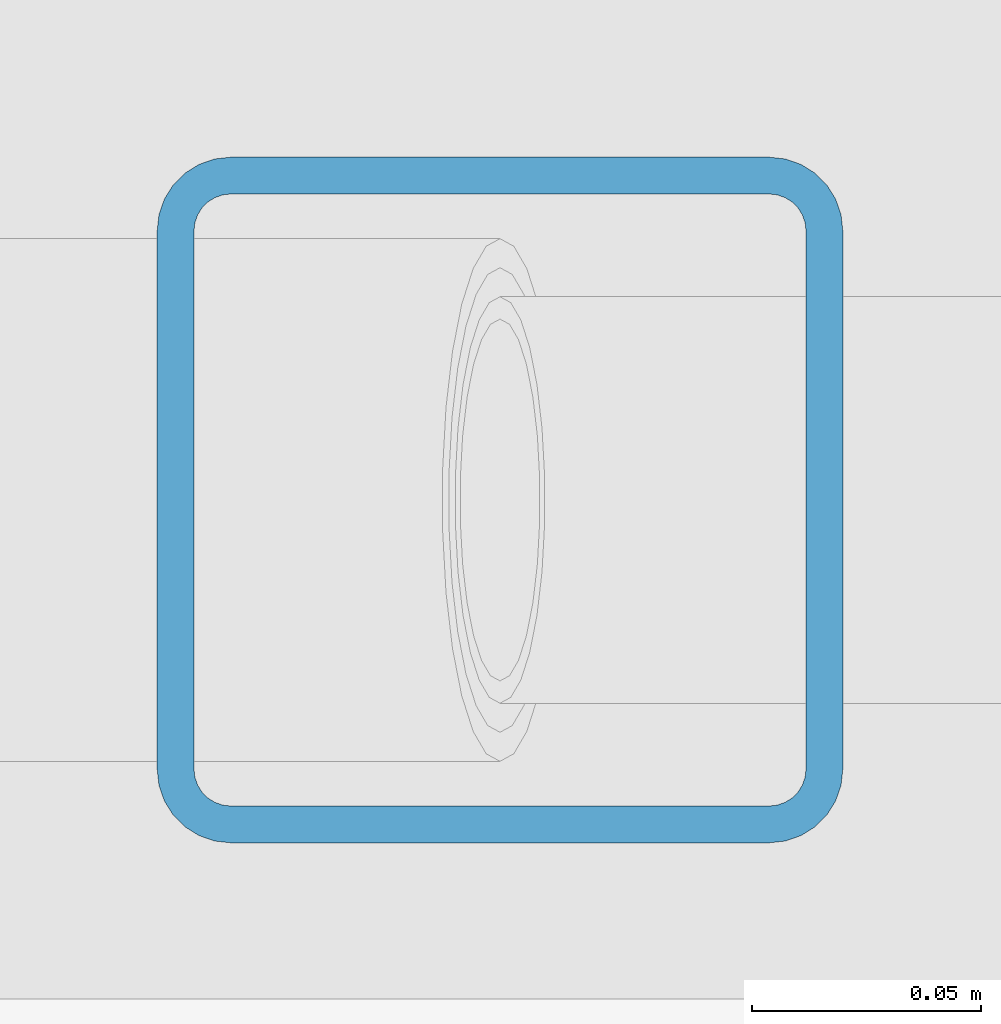
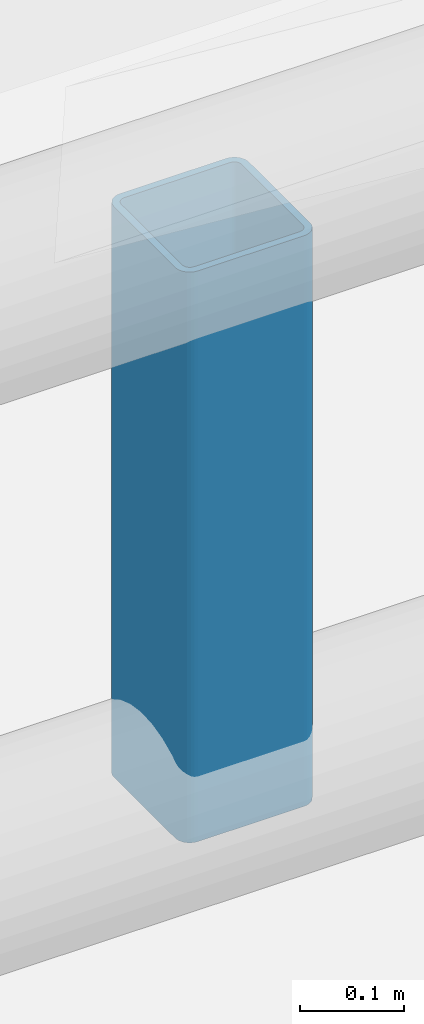
# One storey, part 64 of 118: 1 member.
"""IFC4 building model written with IfcOpenShell, lengths in metres."""

import ifcopenshell
import ifcopenshell.guid

model = None  # the IFC model being written
_history = None  # IfcOwnerHistory: only IFC2X3 demands one
_inside = {}  # id of a spatial element -> (the spatial element, [elements in it])
_under = {}  # id of a project, library or spatial element -> (it, [spatial elements below it])
_declared = {}  # id of a project -> (the project, [libraries it declares])
_typed = {}  # id of a type object -> (the type object, [elements of that type])
_made_of = {}  # id of a material, layer set ... -> (it, [elements and type objects made of it])


def new_model(schema):
    """Start an empty IFC model of exactly this schema.

    Asked for "IFC4X3", IfcOpenShell would pick the latest addendum, in which some entities
    have other attributes; the version numbers below select the first issue.
    IFC2X3 requires an IfcOwnerHistory on every rooted entity: one is made here for all.
    """
    global model, _history
    if schema == "IFC4X3":
        model = ifcopenshell.file(schema_version=(4, 3, 0, 0))
    else:
        model = ifcopenshell.file(schema=schema)
    _inside.clear()
    _under.clear()
    _declared.clear()
    _typed.clear()
    _made_of.clear()
    _history = None
    if model.schema == "IFC2X3":
        org = make("IfcOrganization", Name="unknown")
        user = make(
            "IfcPersonAndOrganization",
            ThePerson=make("IfcPerson", FamilyName="unknown"),
            TheOrganization=org,
        )
        app = make(
            "IfcApplication",
            ApplicationDeveloper=org,
            Version="unknown",
            ApplicationFullName="unknown",
            ApplicationIdentifier="unknown",
        )
        _history = make(
            "IfcOwnerHistory",
            OwningUser=user,
            OwningApplication=app,
            ChangeAction="ADDED",
            CreationDate=0,
        )
    return model


def make(cls, **values):
    """One entity of the class cls with the attributes given. An attribute that is None is left unset."""
    return model.create_entity(
        cls, **{name: value for name, value in values.items() if value is not None}
    )


def rooted(cls, **values):
    """An entity with a GlobalId (a new one), such as an element, a storey or a relation."""
    return make(cls, GlobalId=ifcopenshell.guid.new(), OwnerHistory=_history, **values)


def si_unit(unit_type, name, prefix=None):
    """IfcSIUnit, for example si_unit("LENGTHUNIT", "METRE", prefix="MILLI")."""
    return make("IfcSIUnit", UnitType=unit_type, Prefix=prefix, Name=name)


def assignment(units):
    """IfcUnitAssignment: the units of a project."""
    return None if units is None else make("IfcUnitAssignment", Units=units)


def point(xyz):
    """IfcCartesianPoint."""
    return None if xyz is None else make("IfcCartesianPoint", Coordinates=xyz)


def direction(xyz):
    """IfcDirection."""
    return None if xyz is None else make("IfcDirection", DirectionRatios=xyz)


def frame(location, z_axis=None, x_axis=None):
    """IfcAxis2Placement3D, a coordinate frame: its origin and axes. An axis left out is left unset."""
    return make(
        "IfcAxis2Placement3D",
        Location=point(location),
        Axis=direction(z_axis),
        RefDirection=direction(x_axis),
    )


def frame_2d(location, x_axis=None):
    """IfcAxis2Placement2D, a coordinate frame in the plane: its origin and x axis."""
    return make(
        "IfcAxis2Placement2D", Location=point(location), RefDirection=direction(x_axis)
    )


def origin():
    """The frame at (0, 0, 0) with its axes left unset."""
    return frame((0.0, 0.0, 0.0))


def origin_2d():
    """The frame at (0, 0) in the plane with its x axis left unset."""
    return frame_2d((0.0, 0.0))


def place(relative_to, where):
    """IfcLocalPlacement: puts the frame where relative to a parent placement (None: the world)."""
    return make(
        "IfcLocalPlacement", PlacementRelTo=relative_to, RelativePlacement=where
    )


def context(
    kind, dimensions, precision=None, world=None, true_north=None, identifier=None
):
    """IfcGeometricRepresentationContext, for example the 3D "Model" context."""
    return make(
        "IfcGeometricRepresentationContext",
        ContextIdentifier=identifier,
        ContextType=kind,
        CoordinateSpaceDimension=dimensions,
        Precision=precision,
        WorldCoordinateSystem=world,
        TrueNorth=true_north,
    )


def subcontext(parent, identifier, kind, view, scale=None):
    """IfcGeometricRepresentationSubContext, for example "Body" below "Model"."""
    return make(
        "IfcGeometricRepresentationSubContext",
        ContextIdentifier=identifier,
        ContextType=kind,
        ParentContext=parent,
        TargetScale=scale,
        TargetView=view,
    )


def project(units=None, contexts=None):
    """IfcProject with its units and contexts."""
    return rooted(
        "IfcProject",
        Name="project",
        RepresentationContexts=contexts,
        UnitsInContext=assignment(units),
    )


def spatial(cls, under=None, at=None, **own):
    """A site, building, storey or space (cls), placed at a placement, below another one or the project."""
    s = rooted(cls, ObjectPlacement=at, **own)
    if under is not None:
        _under.setdefault(under.id(), (under, []))[1].append(s)
    return s


def profile(cls, at=None, kind="AREA", **sizes):
    """A parametric profile (cls). Its sizes go by their IFC names, for example OverallWidth=200.0."""
    return make(cls, ProfileType=kind, Position=at, **sizes)


def hollow_rectangle(**sizes):
    """IfcRectangleHollowProfileDef."""
    return profile("IfcRectangleHollowProfileDef", **sizes)


def extrude(swept, where, along, depth):
    """IfcExtrudedAreaSolid: the profile swept, set in the frame where, extruded along a direction by depth."""
    return make(
        "IfcExtrudedAreaSolid",
        SweptArea=swept,
        Position=where,
        ExtrudedDirection=direction(along),
        Depth=depth,
    )


def shape(context_of_items, identifier, shape_type, items):
    """IfcShapeRepresentation: the items that make up one representation, for example the "Body"."""
    return make(
        "IfcShapeRepresentation",
        ContextOfItems=context_of_items,
        RepresentationIdentifier=identifier,
        RepresentationType=shape_type,
        Items=items,
    )


def material(Name=None, Category=None):
    """IfcMaterial."""
    return make("IfcMaterial", Name=Name, Category=Category)


def material_profile(
    of_material, cross_section, Name=None, Category=None, Priority=None
):
    """IfcMaterialProfile: a cross section and its material."""
    return make(
        "IfcMaterialProfile",
        Name=Name,
        Material=of_material,
        Profile=cross_section,
        Priority=Priority,
        Category=Category,
    )


def profile_set(profiles, Name=None, composite=None):
    """IfcMaterialProfileSet."""
    return make(
        "IfcMaterialProfileSet",
        Name=Name,
        MaterialProfiles=profiles,
        CompositeProfile=composite,
    )


def made_of(thing, what):
    """Note that an element or type object is made of a material, layer set ...; save() writes the relation."""
    if what is not None:
        _made_of.setdefault(what.id(), (what, []))[1].append(thing)
    return thing


def type_object(cls, material=None, **own):
    """A type object (cls), such as IfcWallType, which elements share."""
    return made_of(rooted(cls, **own), material)


def element(
    cls,
    number,
    at=None,
    inside=None,
    cuts=None,
    type_object=None,
    material=None,
    context=None,
    identifier="Body",
    shape_type=None,
    held_by="IfcProductDefinitionShape",
    body=None,
    shapes=None,
    **own,
):
    """One element of the class cls, such as IfcWall. Its Tag is "e" and its number.

    at: its placement. inside: the storey or other place that contains it. cuts: it is an
    opening in that element (IfcRelVoidsElement). A single representation is given by context,
    identifier, shape_type and body (its items); several are given by shapes. held_by: the class
    of the entity that holds the representations. save() writes the other relations.
    """
    e = rooted(cls, Tag="e%d" % number, ObjectPlacement=at, **own)
    if body is not None:
        shapes = [shape(context, identifier, shape_type, body)]
    if shapes is not None:
        e.Representation = make(held_by, Representations=shapes)
    if inside is not None:
        _inside.setdefault(inside.id(), (inside, []))[1].append(e)
    if cuts is not None:
        rooted(
            "IfcRelVoidsElement", RelatingBuildingElement=cuts, RelatedOpeningElement=e
        )
    if type_object is not None:
        _typed.setdefault(type_object.id(), (type_object, []))[1].append(e)
    return made_of(e, material)


def aggregate(whole, parts):
    """IfcRelAggregates: a whole, such as a stair, and the parts it consists of."""
    return rooted("IfcRelAggregates", RelatingObject=whole, RelatedObjects=parts)


def save(model, path):
    """Write the relations noted so far, then the file.

    IfcRelAggregates (storeys below a building ...), IfcRelContainedInSpatialStructure (elements
    in a storey), IfcRelDefinesByType, IfcRelAssociatesMaterial and IfcRelDeclares: one each for
    every whole, place, type object, material and project.
    """
    for whole, parts in _under.values():
        aggregate(whole, parts)
    for where, things in _inside.values():
        rooted(
            "IfcRelContainedInSpatialStructure",
            RelatedElements=things,
            RelatingStructure=where,
        )
    for kind, things in _typed.values():
        rooted("IfcRelDefinesByType", RelatedObjects=things, RelatingType=kind)
    for what, things in _made_of.values():
        rooted("IfcRelAssociatesMaterial", RelatedObjects=things, RelatingMaterial=what)
    for by, libraries in _declared.values():
        rooted("IfcRelDeclares", RelatingContext=by, RelatedDefinitions=libraries)
    model.write(path)


model = new_model("IFC4")

# Units and contexts
model_context = context("Model", 3, precision=1e-05, world=origin(), true_north=direction((0.0, 1.0)))
body_context = subcontext(model_context, "Body", "Model", "MODEL_VIEW")
ifc_project = project(units=[si_unit("LENGTHUNIT", "METRE"), si_unit("AREAUNIT", "SQUARE_METRE"), si_unit("VOLUMEUNIT", "CUBIC_METRE"), si_unit("PLANEANGLEUNIT", "RADIAN"), si_unit("MASSUNIT", "GRAM", prefix="KILO")], contexts=[model_context])

# Site, building, storey
site_placement = place(None, origin())
site = spatial("IfcSite", under=ifc_project, at=site_placement, CompositionType="ELEMENT")
building_placement = place(site_placement, origin())
building = spatial("IfcBuilding", under=site, at=building_placement, Name="Kolvaren Corner Interchange", CompositionType="ELEMENT")
storey_placement = place(building_placement, origin())
storey = spatial("IfcBuildingStorey", under=building, at=storey_placement, Name="L01", CompositionType="ELEMENT", Elevation=0.0)

# Member
ifc_material = material(Name="Steel S355", Category="steel")
ifc_material_profile = material_profile(ifc_material, hollow_rectangle(XDim=0.14990234375, YDim=0.14990234375, WallThickness=0.008056640625, InnerFilletRadius=0.008056640625, OuterFilletRadius=0.01611328125, at=origin_2d()), Name="SHS 150x150x8.0")
ifc_profile_set = profile_set([ifc_material_profile], Name="Steel S355")
member_type = type_object("IfcMemberType", Name="MEM-PT-SHS150", PredefinedType="POST", material=ifc_profile_set)
member_placement = place(storey_placement, frame((160.541748046875, 90.0, 5.64990234375), z_axis=(0.0, 0.0, 1.0), x_axis=(1.0, 0.0, 0.0)))
element("IfcMember", 1, at=member_placement, inside=storey, type_object=member_type, Name="Bus Canopy Sawtooth Roof Truss 05 Web Post 12", PredefinedType="POST", context=body_context, shape_type="SweptSolid", body=[
    extrude(hollow_rectangle(XDim=0.14990234375, YDim=0.14990234375, WallThickness=0.008056640625, InnerFilletRadius=0.008056640625, OuterFilletRadius=0.01611328125, at=origin_2d()), origin(), (0.0, 0.0, 1.0), 0.670166015625),
])

save(model, "model.ifc")
